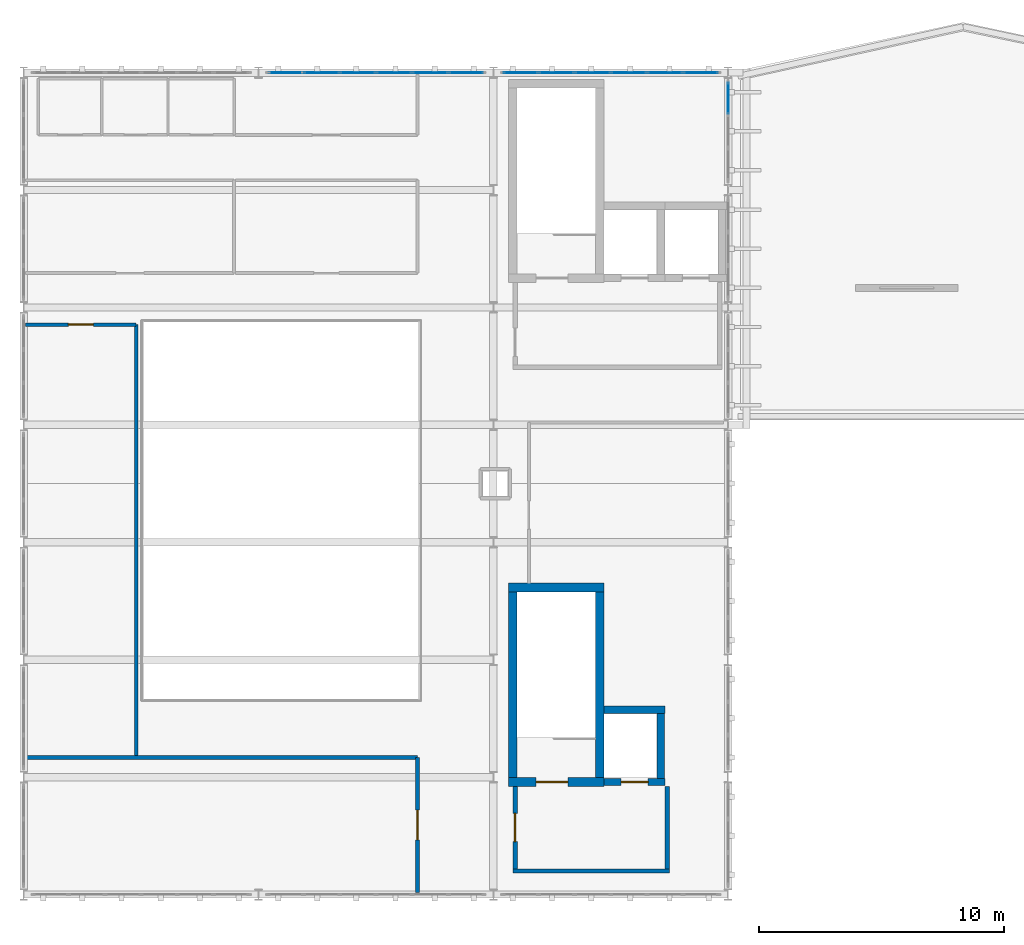
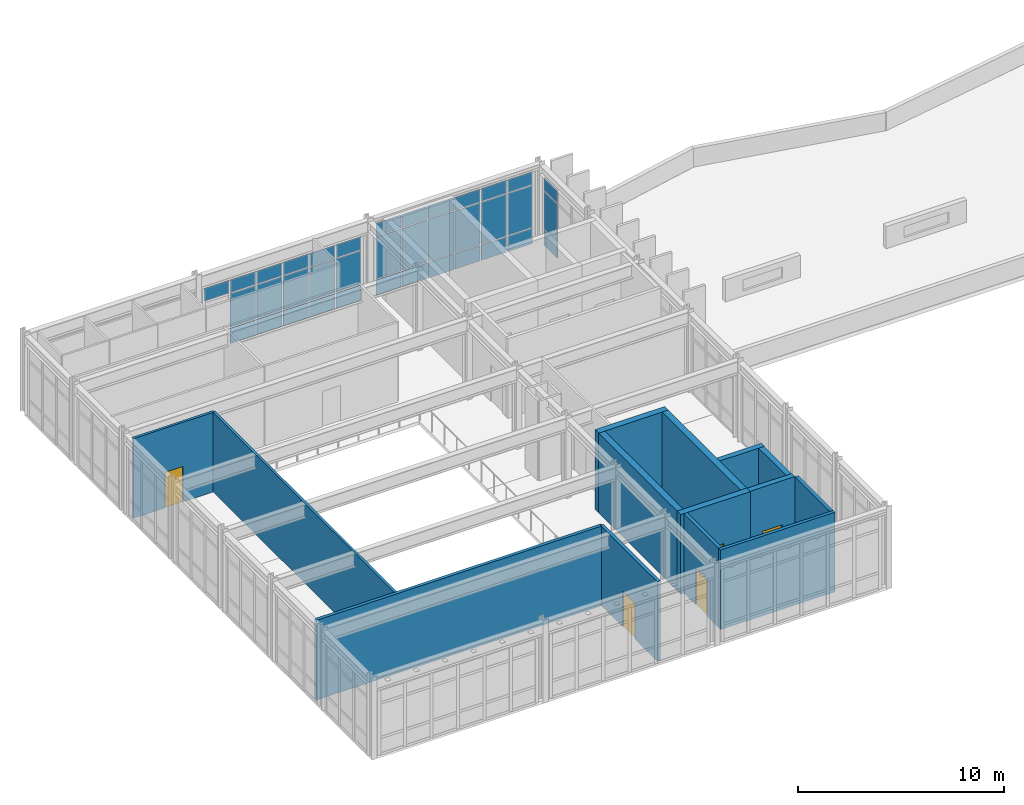
# One storey, part 13 of 16: 37 plates, 14 walls, 5 doors, 5 openings, 3 elements without a shape of their own.
"""IFC4 building model written with IfcOpenShell, lengths in metres."""

from ifc_helpers import new_model, si_unit, direction, frame, frame_2d, origin, origin_2d, place, context, subcontext, project, spatial, rectangle, extrude, material, layer, layer_set, type_object, element, fill, aggregate, save


model = new_model("IFC4")

# Units and contexts
model_context = context("Model", 3, precision=1e-05, world=origin(), true_north=direction((0.0, 1.0)))
body_context = subcontext(model_context, "Body", "Model", "MODEL_VIEW")
ifc_project = project(units=[si_unit("LENGTHUNIT", "METRE"), si_unit("AREAUNIT", "SQUARE_METRE"), si_unit("VOLUMEUNIT", "CUBIC_METRE"), si_unit("PLANEANGLEUNIT", "RADIAN"), si_unit("MASSUNIT", "GRAM", prefix="KILO")], contexts=[model_context])

# Site, building, storey
site_placement = place(None, origin())
site = spatial("IfcSite", under=ifc_project, at=site_placement, CompositionType="ELEMENT")
building_placement = place(site_placement, origin())
building = spatial("IfcBuilding", under=site, at=building_placement, Name="Nordkorset Police Headquarters", CompositionType="ELEMENT")
storey_placement = place(building_placement, frame((0.0, 0.0, 31.14990234375)))
storey = spatial("IfcBuildingStorey", under=building, at=storey_placement, Name="L07", CompositionType="ELEMENT", Elevation=31.14990234375)

# Curtain wall, plates
ifc_material_1 = material(Name="Aluminium alloy AW-6060", Category="aluminium")
ifc_layer_1 = layer(ifc_material_1, 0.179931640625, Name="Aluminium alloy AW-6060")
ifc_layer_set_1 = layer_set([ifc_layer_1], Name="Aluminium alloy AW-6060")
curtain_wall_type_1 = type_object("IfcCurtainWallType", Name="CW_Unit_888x389", PredefinedType="USERDEFINED", material=ifc_layer_set_1)
curtain_wall_1_placement = place(storey_placement, origin())
curtain_wall_1 = element("IfcCurtainWall", 1, at=curtain_wall_1_placement, inside=storey, type_object=curtain_wall_type_1, Name="Unitised Curtain Wall L07 V1N-1", ObjectType="UNITISED CURTAIN WALL", PredefinedType="USERDEFINED")
ifc_material_2 = material(Name="Low-iron triple glazing", Category="glass")
ifc_layer_2 = layer(ifc_material_2, 0.035888671875, Name="Low-iron triple glazing")
ifc_layer_set_2 = layer_set([ifc_layer_2], Name="Low-iron triple glazing")
plate_type = type_object("IfcPlateType", Name="CW_Panel_TripleGlazing_36", PredefinedType="CURTAIN_PANEL", material=ifc_layer_set_2)
plate_1_placement = place(storey_placement, frame((10.71630859375, 116.800048828125, 3.072509765625), z_axis=(0.0, 0.0, 1.0), x_axis=(1.0, 0.0, 0.0)))
plate_1 = element("IfcPlate", 2, at=plate_1_placement, type_object=plate_type, Name="CW-76 panel 1.3", PredefinedType="CURTAIN_PANEL", context=body_context, shape_type="SweptSolid", body=[
    extrude(rectangle(XDim=1.382568359375, YDim=0.035888671875, at=origin_2d()), origin(), (0.0, 0.0, 1.0), 0.75244140625),
])
plate_2_placement = place(storey_placement, frame((12.179931640625, 116.800048828125, 0.06494140625), z_axis=(0.0, 0.0, 1.0), x_axis=(1.0, 0.0, 0.0)))
plate_2 = element("IfcPlate", 3, at=plate_2_placement, type_object=plate_type, Name="CW-76 panel 2.1", PredefinedType="CURTAIN_PANEL", context=body_context, shape_type="SweptSolid", body=[
    extrude(rectangle(XDim=1.4150390625, YDim=0.035888671875, at=origin_2d()), origin(), (0.0, 0.0, 1.0), 0.902587890625),
])
plate_3_placement = place(storey_placement, frame((12.179931640625, 116.800048828125, 1.032470703125), z_axis=(0.0, 0.0, 1.0), x_axis=(1.0, 0.0, 0.0)))
plate_3 = element("IfcPlate", 4, at=plate_3_placement, type_object=plate_type, Name="CW-76 panel 2.2", PredefinedType="CURTAIN_PANEL", context=body_context, shape_type="SweptSolid", body=[
    extrude(rectangle(XDim=1.4150390625, YDim=0.035888671875, at=origin_2d()), origin(), (0.0, 0.0, 1.0), 1.97509765625),
])
plate_4_placement = place(storey_placement, frame((12.179931640625, 116.800048828125, 3.072509765625), z_axis=(0.0, 0.0, 1.0), x_axis=(1.0, 0.0, 0.0)))
plate_4 = element("IfcPlate", 5, at=plate_4_placement, type_object=plate_type, Name="CW-76 panel 2.3", PredefinedType="CURTAIN_PANEL", context=body_context, shape_type="SweptSolid", body=[
    extrude(rectangle(XDim=1.4150390625, YDim=0.035888671875, at=origin_2d()), origin(), (0.0, 0.0, 1.0), 0.75244140625),
])
plate_5_placement = place(storey_placement, frame((13.659912109375, 116.800048828125, 0.06494140625), z_axis=(0.0, 0.0, 1.0), x_axis=(1.0, 0.0, 0.0)))
plate_5 = element("IfcPlate", 6, at=plate_5_placement, type_object=plate_type, Name="CW-76 panel 3.1", PredefinedType="CURTAIN_PANEL", context=body_context, shape_type="SweptSolid", body=[
    extrude(rectangle(XDim=1.4150390625, YDim=0.035888671875, at=origin_2d()), origin(), (0.0, 0.0, 1.0), 0.902587890625),
])
plate_6_placement = place(storey_placement, frame((13.659912109375, 116.800048828125, 1.032470703125), z_axis=(0.0, 0.0, 1.0), x_axis=(1.0, 0.0, 0.0)))
plate_6 = element("IfcPlate", 7, at=plate_6_placement, type_object=plate_type, Name="CW-76 panel 3.2", PredefinedType="CURTAIN_PANEL", context=body_context, shape_type="SweptSolid", body=[
    extrude(rectangle(XDim=1.4150390625, YDim=0.035888671875, at=origin_2d()), origin(), (0.0, 0.0, 1.0), 1.97509765625),
])
plate_7_placement = place(storey_placement, frame((13.659912109375, 116.800048828125, 3.072509765625), z_axis=(0.0, 0.0, 1.0), x_axis=(1.0, 0.0, 0.0)))
plate_7 = element("IfcPlate", 8, at=plate_7_placement, type_object=plate_type, Name="CW-76 panel 3.3", PredefinedType="CURTAIN_PANEL", context=body_context, shape_type="SweptSolid", body=[
    extrude(rectangle(XDim=1.4150390625, YDim=0.035888671875, at=origin_2d()), origin(), (0.0, 0.0, 1.0), 0.75244140625),
])
plate_8_placement = place(storey_placement, frame((15.139892578125, 116.800048828125, 0.06494140625), z_axis=(0.0, 0.0, 1.0), x_axis=(1.0, 0.0, 0.0)))
plate_8 = element("IfcPlate", 9, at=plate_8_placement, type_object=plate_type, Name="CW-76 panel 4.1", PredefinedType="CURTAIN_PANEL", context=body_context, shape_type="SweptSolid", body=[
    extrude(rectangle(XDim=1.4150390625, YDim=0.035888671875, at=origin_2d()), origin(), (0.0, 0.0, 1.0), 0.902587890625),
])
plate_9_placement = place(storey_placement, frame((15.139892578125, 116.800048828125, 1.032470703125), z_axis=(0.0, 0.0, 1.0), x_axis=(1.0, 0.0, 0.0)))
plate_9 = element("IfcPlate", 10, at=plate_9_placement, type_object=plate_type, Name="CW-76 panel 4.2", PredefinedType="CURTAIN_PANEL", context=body_context, shape_type="SweptSolid", body=[
    extrude(rectangle(XDim=1.4150390625, YDim=0.035888671875, at=origin_2d()), origin(), (0.0, 0.0, 1.0), 1.97509765625),
])
plate_10_placement = place(storey_placement, frame((15.139892578125, 116.800048828125, 3.072509765625), z_axis=(0.0, 0.0, 1.0), x_axis=(1.0, 0.0, 0.0)))
plate_10 = element("IfcPlate", 11, at=plate_10_placement, type_object=plate_type, Name="CW-76 panel 4.3", PredefinedType="CURTAIN_PANEL", context=body_context, shape_type="SweptSolid", body=[
    extrude(rectangle(XDim=1.4150390625, YDim=0.035888671875, at=origin_2d()), origin(), (0.0, 0.0, 1.0), 0.75244140625),
])
plate_11_placement = place(storey_placement, frame((16.6201171875, 116.800048828125, 0.06494140625), z_axis=(0.0, 0.0, 1.0), x_axis=(1.0, 0.0, 0.0)))
plate_11 = element("IfcPlate", 12, at=plate_11_placement, type_object=plate_type, Name="CW-76 panel 5.1", PredefinedType="CURTAIN_PANEL", context=body_context, shape_type="SweptSolid", body=[
    extrude(rectangle(XDim=1.4150390625, YDim=0.035888671875, at=origin_2d()), origin(), (0.0, 0.0, 1.0), 0.902587890625),
])
plate_12_placement = place(storey_placement, frame((16.6201171875, 116.800048828125, 1.032470703125), z_axis=(0.0, 0.0, 1.0), x_axis=(1.0, 0.0, 0.0)))
plate_12 = element("IfcPlate", 13, at=plate_12_placement, type_object=plate_type, Name="CW-76 panel 5.2", PredefinedType="CURTAIN_PANEL", context=body_context, shape_type="SweptSolid", body=[
    extrude(rectangle(XDim=1.4150390625, YDim=0.035888671875, at=origin_2d()), origin(), (0.0, 0.0, 1.0), 1.97509765625),
])
plate_13_placement = place(storey_placement, frame((16.6201171875, 116.800048828125, 3.072509765625), z_axis=(0.0, 0.0, 1.0), x_axis=(1.0, 0.0, 0.0)))
plate_13 = element("IfcPlate", 14, at=plate_13_placement, type_object=plate_type, Name="CW-76 panel 5.3", PredefinedType="CURTAIN_PANEL", context=body_context, shape_type="SweptSolid", body=[
    extrude(rectangle(XDim=1.4150390625, YDim=0.035888671875, at=origin_2d()), origin(), (0.0, 0.0, 1.0), 0.75244140625),
])
plate_14_placement = place(storey_placement, frame((18.083740234375, 116.800048828125, 0.06494140625), z_axis=(0.0, 0.0, 1.0), x_axis=(1.0, 0.0, 0.0)))
plate_14 = element("IfcPlate", 15, at=plate_14_placement, type_object=plate_type, Name="CW-76 panel 6.1", PredefinedType="CURTAIN_PANEL", context=body_context, shape_type="SweptSolid", body=[
    extrude(rectangle(XDim=1.382568359375, YDim=0.035888671875, at=origin_2d()), origin(), (0.0, 0.0, 1.0), 0.902587890625),
])
plate_15_placement = place(storey_placement, frame((18.083740234375, 116.800048828125, 1.032470703125), z_axis=(0.0, 0.0, 1.0), x_axis=(1.0, 0.0, 0.0)))
plate_15 = element("IfcPlate", 16, at=plate_15_placement, type_object=plate_type, Name="CW-76 panel 6.2", PredefinedType="CURTAIN_PANEL", context=body_context, shape_type="SweptSolid", body=[
    extrude(rectangle(XDim=1.382568359375, YDim=0.035888671875, at=origin_2d()), origin(), (0.0, 0.0, 1.0), 1.97509765625),
])
plate_16_placement = place(storey_placement, frame((18.083740234375, 116.800048828125, 3.072509765625), z_axis=(0.0, 0.0, 1.0), x_axis=(1.0, 0.0, 0.0)))
plate_16 = element("IfcPlate", 17, at=plate_16_placement, type_object=plate_type, Name="CW-76 panel 6.3", PredefinedType="CURTAIN_PANEL", context=body_context, shape_type="SweptSolid", body=[
    extrude(rectangle(XDim=1.382568359375, YDim=0.035888671875, at=origin_2d()), origin(), (0.0, 0.0, 1.0), 0.75244140625),
])
aggregate(curtain_wall_1, [plate_1, plate_2, plate_3, plate_4, plate_5, plate_6, plate_7, plate_8, plate_9, plate_10, plate_11, plate_12, plate_13, plate_14, plate_15, plate_16])

ifc_material_3 = material(Name="Aluminium alloy AW-6060", Category="aluminium")
ifc_layer_3 = layer(ifc_material_3, 0.179931640625, Name="Aluminium alloy AW-6060")
ifc_layer_set_3 = layer_set([ifc_layer_3], Name="Aluminium alloy AW-6060")
curtain_wall_type_2 = type_object("IfcCurtainWallType", Name="CW_Unit_888x438", PredefinedType="USERDEFINED", material=ifc_layer_set_3)
curtain_wall_2_placement = place(storey_placement, origin())
curtain_wall_2 = element("IfcCurtainWall", 18, at=curtain_wall_2_placement, inside=storey, type_object=curtain_wall_type_2, Name="Unitised Curtain Wall L07 V1N-2", ObjectType="UNITISED CURTAIN WALL", PredefinedType="USERDEFINED")
plate_17_placement = place(storey_placement, frame((20.316162109375, 116.800048828125, 0.06494140625), z_axis=(0.0, 0.0, 1.0), x_axis=(1.0, 0.0, 0.0)))
plate_17 = element("IfcPlate", 19, at=plate_17_placement, type_object=plate_type, Name="CW-102 panel 1.1", PredefinedType="CURTAIN_PANEL", context=body_context, shape_type="SweptSolid", body=[
    extrude(rectangle(XDim=1.382568359375, YDim=0.035888671875, at=origin_2d()), origin(), (0.0, 0.0, 1.0), 0.902587890625),
])
plate_18_placement = place(storey_placement, frame((20.316162109375, 116.800048828125, 1.03271484375), z_axis=(0.0, 0.0, 1.0), x_axis=(1.0, 0.0, 0.0)))
plate_18 = element("IfcPlate", 20, at=plate_18_placement, type_object=plate_type, Name="CW-102 panel 1.2", PredefinedType="CURTAIN_PANEL", context=body_context, shape_type="SweptSolid", body=[
    extrude(rectangle(XDim=1.382568359375, YDim=0.035888671875, at=origin_2d()), origin(), (0.0, 0.0, 1.0), 2.465087890625),
])
plate_19_placement = place(storey_placement, frame((20.316162109375, 116.800048828125, 3.562744140625), z_axis=(0.0, 0.0, 1.0), x_axis=(1.0, 0.0, 0.0)))
plate_19 = element("IfcPlate", 21, at=plate_19_placement, type_object=plate_type, Name="CW-102 panel 1.3", PredefinedType="CURTAIN_PANEL", context=body_context, shape_type="SweptSolid", body=[
    extrude(rectangle(XDim=1.382568359375, YDim=0.035888671875, at=origin_2d()), origin(), (0.0, 0.0, 1.0), 0.75244140625),
])
plate_20_placement = place(storey_placement, frame((21.780029296875, 116.800048828125, 0.06494140625), z_axis=(0.0, 0.0, 1.0), x_axis=(1.0, 0.0, 0.0)))
plate_20 = element("IfcPlate", 22, at=plate_20_placement, type_object=plate_type, Name="CW-102 panel 2.1", PredefinedType="CURTAIN_PANEL", context=body_context, shape_type="SweptSolid", body=[
    extrude(rectangle(XDim=1.4150390625, YDim=0.035888671875, at=origin_2d()), origin(), (0.0, 0.0, 1.0), 0.902587890625),
])
plate_21_placement = place(storey_placement, frame((21.780029296875, 116.800048828125, 1.03271484375), z_axis=(0.0, 0.0, 1.0), x_axis=(1.0, 0.0, 0.0)))
plate_21 = element("IfcPlate", 23, at=plate_21_placement, type_object=plate_type, Name="CW-102 panel 2.2", PredefinedType="CURTAIN_PANEL", context=body_context, shape_type="SweptSolid", body=[
    extrude(rectangle(XDim=1.4150390625, YDim=0.035888671875, at=origin_2d()), origin(), (0.0, 0.0, 1.0), 2.465087890625),
])
plate_22_placement = place(storey_placement, frame((21.780029296875, 116.800048828125, 3.562744140625), z_axis=(0.0, 0.0, 1.0), x_axis=(1.0, 0.0, 0.0)))
plate_22 = element("IfcPlate", 24, at=plate_22_placement, type_object=plate_type, Name="CW-102 panel 2.3", PredefinedType="CURTAIN_PANEL", context=body_context, shape_type="SweptSolid", body=[
    extrude(rectangle(XDim=1.4150390625, YDim=0.035888671875, at=origin_2d()), origin(), (0.0, 0.0, 1.0), 0.75244140625),
])
plate_23_placement = place(storey_placement, frame((23.260009765625, 116.800048828125, 0.06494140625), z_axis=(0.0, 0.0, 1.0), x_axis=(1.0, 0.0, 0.0)))
plate_23 = element("IfcPlate", 25, at=plate_23_placement, type_object=plate_type, Name="CW-102 panel 3.1", PredefinedType="CURTAIN_PANEL", context=body_context, shape_type="SweptSolid", body=[
    extrude(rectangle(XDim=1.4150390625, YDim=0.035888671875, at=origin_2d()), origin(), (0.0, 0.0, 1.0), 0.902587890625),
])
plate_24_placement = place(storey_placement, frame((23.260009765625, 116.800048828125, 1.03271484375), z_axis=(0.0, 0.0, 1.0), x_axis=(1.0, 0.0, 0.0)))
plate_24 = element("IfcPlate", 26, at=plate_24_placement, type_object=plate_type, Name="CW-102 panel 3.2", PredefinedType="CURTAIN_PANEL", context=body_context, shape_type="SweptSolid", body=[
    extrude(rectangle(XDim=1.4150390625, YDim=0.035888671875, at=origin_2d()), origin(), (0.0, 0.0, 1.0), 2.465087890625),
])
plate_25_placement = place(storey_placement, frame((23.260009765625, 116.800048828125, 3.562744140625), z_axis=(0.0, 0.0, 1.0), x_axis=(1.0, 0.0, 0.0)))
plate_25 = element("IfcPlate", 27, at=plate_25_placement, type_object=plate_type, Name="CW-102 panel 3.3", PredefinedType="CURTAIN_PANEL", context=body_context, shape_type="SweptSolid", body=[
    extrude(rectangle(XDim=1.4150390625, YDim=0.035888671875, at=origin_2d()), origin(), (0.0, 0.0, 1.0), 0.75244140625),
])
plate_26_placement = place(storey_placement, frame((24.739990234375, 116.800048828125, 0.06494140625), z_axis=(0.0, 0.0, 1.0), x_axis=(1.0, 0.0, 0.0)))
plate_26 = element("IfcPlate", 28, at=plate_26_placement, type_object=plate_type, Name="CW-102 panel 4.1", PredefinedType="CURTAIN_PANEL", context=body_context, shape_type="SweptSolid", body=[
    extrude(rectangle(XDim=1.4150390625, YDim=0.035888671875, at=origin_2d()), origin(), (0.0, 0.0, 1.0), 0.902587890625),
])
plate_27_placement = place(storey_placement, frame((24.739990234375, 116.800048828125, 1.03271484375), z_axis=(0.0, 0.0, 1.0), x_axis=(1.0, 0.0, 0.0)))
plate_27 = element("IfcPlate", 29, at=plate_27_placement, type_object=plate_type, Name="CW-102 panel 4.2", PredefinedType="CURTAIN_PANEL", context=body_context, shape_type="SweptSolid", body=[
    extrude(rectangle(XDim=1.4150390625, YDim=0.035888671875, at=origin_2d()), origin(), (0.0, 0.0, 1.0), 2.465087890625),
])
plate_28_placement = place(storey_placement, frame((24.739990234375, 116.800048828125, 3.562744140625), z_axis=(0.0, 0.0, 1.0), x_axis=(1.0, 0.0, 0.0)))
plate_28 = element("IfcPlate", 30, at=plate_28_placement, type_object=plate_type, Name="CW-102 panel 4.3", PredefinedType="CURTAIN_PANEL", context=body_context, shape_type="SweptSolid", body=[
    extrude(rectangle(XDim=1.4150390625, YDim=0.035888671875, at=origin_2d()), origin(), (0.0, 0.0, 1.0), 0.75244140625),
])
plate_29_placement = place(storey_placement, frame((26.219970703125, 116.800048828125, 0.06494140625), z_axis=(0.0, 0.0, 1.0), x_axis=(1.0, 0.0, 0.0)))
plate_29 = element("IfcPlate", 31, at=plate_29_placement, type_object=plate_type, Name="CW-102 panel 5.1", PredefinedType="CURTAIN_PANEL", context=body_context, shape_type="SweptSolid", body=[
    extrude(rectangle(XDim=1.4150390625, YDim=0.035888671875, at=origin_2d()), origin(), (0.0, 0.0, 1.0), 0.902587890625),
])
plate_30_placement = place(storey_placement, frame((26.219970703125, 116.800048828125, 1.03271484375), z_axis=(0.0, 0.0, 1.0), x_axis=(1.0, 0.0, 0.0)))
plate_30 = element("IfcPlate", 32, at=plate_30_placement, type_object=plate_type, Name="CW-102 panel 5.2", PredefinedType="CURTAIN_PANEL", context=body_context, shape_type="SweptSolid", body=[
    extrude(rectangle(XDim=1.4150390625, YDim=0.035888671875, at=origin_2d()), origin(), (0.0, 0.0, 1.0), 2.465087890625),
])
plate_31_placement = place(storey_placement, frame((26.219970703125, 116.800048828125, 3.562744140625), z_axis=(0.0, 0.0, 1.0), x_axis=(1.0, 0.0, 0.0)))
plate_31 = element("IfcPlate", 33, at=plate_31_placement, type_object=plate_type, Name="CW-102 panel 5.3", PredefinedType="CURTAIN_PANEL", context=body_context, shape_type="SweptSolid", body=[
    extrude(rectangle(XDim=1.4150390625, YDim=0.035888671875, at=origin_2d()), origin(), (0.0, 0.0, 1.0), 0.75244140625),
])
plate_32_placement = place(storey_placement, frame((27.683837890625, 116.800048828125, 0.06494140625), z_axis=(0.0, 0.0, 1.0), x_axis=(1.0, 0.0, 0.0)))
plate_32 = element("IfcPlate", 34, at=plate_32_placement, type_object=plate_type, Name="CW-102 panel 6.1", PredefinedType="CURTAIN_PANEL", context=body_context, shape_type="SweptSolid", body=[
    extrude(rectangle(XDim=1.382568359375, YDim=0.035888671875, at=origin_2d()), origin(), (0.0, 0.0, 1.0), 0.902587890625),
])
plate_33_placement = place(storey_placement, frame((27.683837890625, 116.800048828125, 1.03271484375), z_axis=(0.0, 0.0, 1.0), x_axis=(1.0, 0.0, 0.0)))
plate_33 = element("IfcPlate", 35, at=plate_33_placement, type_object=plate_type, Name="CW-102 panel 6.2", PredefinedType="CURTAIN_PANEL", context=body_context, shape_type="SweptSolid", body=[
    extrude(rectangle(XDim=1.382568359375, YDim=0.035888671875, at=origin_2d()), origin(), (0.0, 0.0, 1.0), 2.465087890625),
])
plate_34_placement = place(storey_placement, frame((27.683837890625, 116.800048828125, 3.562744140625), z_axis=(0.0, 0.0, 1.0), x_axis=(1.0, 0.0, 0.0)))
plate_34 = element("IfcPlate", 36, at=plate_34_placement, type_object=plate_type, Name="CW-102 panel 6.3", PredefinedType="CURTAIN_PANEL", context=body_context, shape_type="SweptSolid", body=[
    extrude(rectangle(XDim=1.382568359375, YDim=0.035888671875, at=origin_2d()), origin(), (0.0, 0.0, 1.0), 0.75244140625),
])
aggregate(curtain_wall_2, [plate_17, plate_18, plate_19, plate_20, plate_21, plate_22, plate_23, plate_24, plate_25, plate_26, plate_27, plate_28, plate_29, plate_30, plate_31, plate_32, plate_33, plate_34])

ifc_material_4 = material(Name="Aluminium alloy AW-6060", Category="aluminium")
ifc_layer_4 = layer(ifc_material_4, 0.179931640625, Name="Aluminium alloy AW-6060")
ifc_layer_set_4 = layer_set([ifc_layer_4], Name="Aluminium alloy AW-6060")
curtain_wall_type_3 = type_object("IfcCurtainWallType", Name="CW_Unit_408x415", PredefinedType="USERDEFINED", material=ifc_layer_set_4)
curtain_wall_3_placement = place(storey_placement, origin())
curtain_wall_3 = element("IfcCurtainWall", 37, at=curtain_wall_3_placement, inside=storey, type_object=curtain_wall_type_3, Name="Unitised Curtain Wall L07 V1E-6", ObjectType="UNITISED CURTAIN WALL", PredefinedType="USERDEFINED")
plate_35_placement = place(storey_placement, frame((28.800048828125, 115.74365234375, 0.06494140625), z_axis=(0.0, 0.0, 1.0), x_axis=(0.0, 1.0, 0.0)))
plate_35 = element("IfcPlate", 38, at=plate_35_placement, type_object=plate_type, Name="CW-101 panel 3.1", PredefinedType="CURTAIN_PANEL", context=body_context, shape_type="SweptSolid", body=[
    extrude(rectangle(XDim=1.262451171875, YDim=0.035888671875, at=origin_2d()), origin(), (0.0, 0.0, 1.0), 0.902587890625),
])
plate_36_placement = place(storey_placement, frame((28.800048828125, 115.74365234375, 1.03271484375), z_axis=(0.0, 0.0, 1.0), x_axis=(0.0, 1.0, 0.0)))
plate_36 = element("IfcPlate", 39, at=plate_36_placement, type_object=plate_type, Name="CW-101 panel 3.2", PredefinedType="CURTAIN_PANEL", context=body_context, shape_type="SweptSolid", body=[
    extrude(rectangle(XDim=1.262451171875, YDim=0.035888671875, at=origin_2d()), origin(), (0.0, 0.0, 1.0), 2.235107421875),
])
plate_37_placement = place(storey_placement, frame((28.800048828125, 115.74365234375, 3.33251953125), z_axis=(0.0, 0.0, 1.0), x_axis=(0.0, 1.0, 0.0)))
plate_37 = element("IfcPlate", 40, at=plate_37_placement, type_object=plate_type, Name="CW-101 panel 3.3", PredefinedType="CURTAIN_PANEL", context=body_context, shape_type="SweptSolid", body=[
    extrude(rectangle(XDim=1.262451171875, YDim=0.035888671875, at=origin_2d()), origin(), (0.0, 0.0, 1.0), 0.75244140625),
])
aggregate(curtain_wall_3, [plate_35, plate_36, plate_37])

# Wall
ifc_material_5 = material(Name="Gypsum board", Category="gypsum")
ifc_layer_5 = layer(ifc_material_5, 0.139892578125, Name="Gypsum board")
ifc_layer_set_5 = layer_set([ifc_layer_5], Name="Gypsum board")
wall_type_1 = type_object("IfcWallType", Name="Wall_Acoust_140", PredefinedType="PARTITIONING", material=ifc_layer_set_5)
wall_1_placement = place(storey_placement, frame((4.60009765625, 88.885009765625, 0.0), z_axis=(0.0, 0.0, 1.0), x_axis=(0.0, 1.0, 0.0)))
element("IfcWall", 41, at=wall_1_placement, inside=storey, type_object=wall_type_1, Name="Interior Partition Wall National Situation Monitoring Office", PredefinedType="PARTITIONING", context=body_context, shape_type="SweptSolid", body=[
    extrude(rectangle(XDim=17.614990234375, YDim=0.139892578125, at=frame_2d((8.8076171875, 0.0))), origin(), (0.0, 0.0, 1.0), 4.710205078125),
])

# Wall, opening, door
wall_2_placement = place(storey_placement, frame((4.60009765625, 106.5, 0.0), z_axis=(0.0, 0.0, 1.0), x_axis=(-1.0, 0.0, 0.0)))
wall_2 = element("IfcWall", 42, at=wall_2_placement, inside=storey, type_object=wall_type_1, Name="Interior Partition Wall National Situation Monitoring Office", PredefinedType="PARTITIONING", context=body_context, shape_type="SweptSolid", body=[
    extrude(rectangle(XDim=4.51513671875, YDim=0.139892578125, at=frame_2d((2.257568359375, 0.0))), origin(), (0.0, 0.0, 1.0), 4.710205078125),
])
opening_1_placement = place(wall_2_placement, frame((1.74755859375, 0.0, 0.0)))
opening_1 = element("IfcOpeningElement", 43, at=opening_1_placement, cuts=wall_2, Name="Opening DR-19", PredefinedType="OPENING", context=body_context, shape_type="SweptSolid", body=[
    extrude(rectangle(XDim=1.02001953125, YDim=2.10009765625, at=frame_2d((0.510009765625, 1.050048828125))), frame((0.0, 0.080078125, 0.0), z_axis=(0.0, -1.0, 0.0), x_axis=(1.0, 0.0, 0.0)), (0.0, 0.0, 1.0), 0.159912109375),
])
ifc_material_6 = material(Name="Glulam GL30c", Category="wood")
door_type_1 = type_object("IfcDoorType", Name="Door_Office_1020x2100", OperationType="NOTDEFINED", PredefinedType="DOOR", material=ifc_material_6)
door_1_placement = place(opening_1_placement, origin())
door_1 = element("IfcDoor", 44, at=door_1_placement, inside=storey, type_object=door_type_1, Name="Interior Door National Situation Monitoring Office", OperationType="SINGLE_SWING_LEFT", OverallHeight=2.10009765625, OverallWidth=1.02001953125, PredefinedType="DOOR", context=body_context, shape_type="SweptSolid", body=[
    extrude(rectangle(XDim=1.02001953125, YDim=2.10009765625, at=frame_2d((0.510009765625, 1.050048828125))), frame((0.0, 0.02490234375, 0.0), z_axis=(0.0, -1.0, 0.0), x_axis=(1.0, 0.0, 0.0)), (0.0, 0.0, 1.0), 0.050048828125),
])
fill(opening_1, door_1)

# Wall
ifc_material_7 = material(Name="Gypsum board", Category="gypsum")
ifc_layer_6 = layer(ifc_material_7, 0.179931640625, Name="Gypsum board")
ifc_layer_set_6 = layer_set([ifc_layer_6], Name="Gypsum board")
wall_type_2 = type_object("IfcWallType", Name="Wall_Comp_180", PredefinedType="PARTITIONING", material=ifc_layer_set_6)
wall_3_placement = place(storey_placement, frame((20.0, 84.159912109375, 0.0), z_axis=(0.0, 0.0, 1.0), x_axis=(1.0, 0.0, 0.0)))
element("IfcWall", 45, at=wall_3_placement, inside=storey, type_object=wall_type_2, Name="Firefighting Lobby EI 60 Wall K3 L07 S", PredefinedType="PARTITIONING", context=body_context, shape_type="SweptSolid", body=[
    extrude(rectangle(XDim=6.39990234375, YDim=0.179931640625, at=frame_2d((3.199951171875, 0.0))), origin(), (0.0, 0.0, 1.0), 4.710205078125),
])

# Wall, opening, door
wall_4_placement = place(storey_placement, frame((20.090087890625, 84.25, 0.0), z_axis=(0.0, 0.0, 1.0), x_axis=(0.0, 1.0, 0.0)))
wall_4 = element("IfcWall", 46, at=wall_4_placement, inside=storey, type_object=wall_type_2, Name="Firefighting Lobby EI 60 Wall K3 L07 W", PredefinedType="PARTITIONING", context=body_context, shape_type="SweptSolid", body=[
    extrude(rectangle(XDim=3.375, YDim=0.179931640625, at=frame_2d((1.6875, 0.0))), origin(), (0.0, 0.0, 1.0), 4.710205078125),
])
opening_2_placement = place(wall_4_placement, frame((1.112548828125, 0.0, 0.0)))
opening_2 = element("IfcOpeningElement", 47, at=opening_2_placement, cuts=wall_4, Name="Opening DR-01", PredefinedType="OPENING", context=body_context, shape_type="SweptSolid", body=[
    extrude(rectangle(XDim=1.14990234375, YDim=2.14990234375, at=frame_2d((0.574951171875, 1.074951171875))), frame((0.0, 0.10009765625, 0.0), z_axis=(0.0, -1.0, 0.0), x_axis=(1.0, 0.0, 0.0)), (0.0, 0.0, 1.0), 0.199951171875),
])
ifc_material_8 = material(Name="Steel S355J2", Category="steel")
door_type_2 = type_object("IfcDoorType", Name="Door_LobbySingle_1150x2150", OperationType="NOTDEFINED", PredefinedType="DOOR", material=ifc_material_8)
door_2_placement = place(opening_2_placement, origin())
door_2 = element("IfcDoor", 48, at=door_2_placement, inside=storey, type_object=door_type_2, Name="Firefighting Lobby Smoke Door K3 L07 W", OperationType="SINGLE_SWING_RIGHT", OverallHeight=2.14990234375, OverallWidth=1.14990234375, PredefinedType="DOOR", context=body_context, shape_type="SweptSolid", body=[
    extrude(rectangle(XDim=1.14990234375, YDim=2.14990234375, at=frame_2d((0.574951171875, 1.074951171875))), frame((0.0, 0.02490234375, 0.0), z_axis=(0.0, -1.0, 0.0), x_axis=(1.0, 0.0, 0.0)), (0.0, 0.0, 1.0), 0.050048828125),
])
fill(opening_2, door_2)

# Wall
wall_5_placement = place(storey_placement, frame((26.31005859375, 84.25, 0.0), z_axis=(0.0, 0.0, 1.0), x_axis=(0.0, 1.0, 0.0)))
element("IfcWall", 49, at=wall_5_placement, inside=storey, type_object=wall_type_2, Name="Firefighting Lobby EI 60 Wall K3 L07 E", PredefinedType="PARTITIONING", context=body_context, shape_type="SweptSolid", body=[
    extrude(rectangle(XDim=3.375, YDim=0.179931640625, at=frame_2d((1.6875, 0.0))), origin(), (0.0, 0.0, 1.0), 4.710205078125),
])

# Wall, opening, door
wall_6_placement = place(storey_placement, frame((16.10009765625, 83.284912109375, 0.0), z_axis=(0.0, 0.0, 1.0), x_axis=(0.0, 1.0, 0.0)))
wall_6 = element("IfcWall", 50, at=wall_6_placement, inside=storey, type_object=wall_type_2, Name="Interior Partition Wall Strategic Crisis Operations Suite", PredefinedType="PARTITIONING", context=body_context, shape_type="SweptSolid", body=[
    extrude(rectangle(XDim=5.51513671875, YDim=0.179931640625, at=frame_2d((2.757568359375, 0.0))), origin(), (0.0, 0.0, 1.0), 4.710205078125),
])
opening_3_placement = place(wall_6_placement, frame((2.1474609375, 0.0, 0.0)))
opening_3 = element("IfcOpeningElement", 51, at=opening_3_placement, cuts=wall_6, Name="Opening DR-13", PredefinedType="OPENING", context=body_context, shape_type="SweptSolid", body=[
    extrude(rectangle(XDim=1.219970703125, YDim=2.10009765625, at=frame_2d((0.60986328125, 1.050048828125))), frame((0.0, 0.10009765625, 0.0), z_axis=(0.0, -1.0, 0.0), x_axis=(1.0, 0.0, 0.0)), (0.0, 0.0, 1.0), 0.199951171875),
])
ifc_material_9 = material(Name="Steel S355J2", Category="steel")
door_type_3 = type_object("IfcDoorType", Name="Door_FireComp_1220x2100", OperationType="NOTDEFINED", PredefinedType="DOOR", material=ifc_material_9)
door_3_placement = place(opening_3_placement, origin())
door_3 = element("IfcDoor", 52, at=door_3_placement, inside=storey, type_object=door_type_3, Name="Interior Door Strategic Crisis Operations Suite", OperationType="SINGLE_SWING_LEFT", OverallHeight=2.10009765625, OverallWidth=1.219970703125, PredefinedType="DOOR", context=body_context, shape_type="SweptSolid", body=[
    extrude(rectangle(XDim=1.219970703125, YDim=2.10009765625, at=frame_2d((0.60986328125, 1.050048828125))), frame((0.0, 0.02490234375, 0.0), z_axis=(0.0, -1.0, 0.0), x_axis=(1.0, 0.0, 0.0)), (0.0, 0.0, 1.0), 0.050048828125),
])
fill(opening_3, door_3)

# Wall
wall_7_placement = place(storey_placement, frame((16.10009765625, 88.800048828125, 0.0), z_axis=(0.0, 0.0, 1.0), x_axis=(-1.0, 0.0, 0.0)))
element("IfcWall", 53, at=wall_7_placement, inside=storey, type_object=wall_type_2, Name="Interior Partition Wall Strategic Crisis Operations Suite", PredefinedType="PARTITIONING", context=body_context, shape_type="SweptSolid", body=[
    extrude(rectangle(XDim=16.01513671875, YDim=0.179931640625, at=frame_2d((8.007568359375, 0.0))), origin(), (0.0, 0.0, 1.0), 4.710205078125),
])

# Wall, opening, door
ifc_material_10 = material(Name="Concrete C35/45", Category="concrete")
ifc_layer_7 = layer(ifc_material_10, 0.35009765625, Name="Concrete C35/45")
ifc_layer_set_7 = layer_set([ifc_layer_7], Name="Concrete C35/45")
wall_type_3 = type_object("IfcWallType", Name="Wall_CoreShear_350", PredefinedType="SHEAR", material=ifc_layer_set_7)
wall_8_placement = place(storey_placement, frame((19.824951171875, 87.800048828125, 0.0), z_axis=(0.0, 0.0, 1.0), x_axis=(1.0, 0.0, 0.0)))
wall_8 = element("IfcWall", 54, at=wall_8_placement, inside=storey, type_object=wall_type_3, Name="Core K3 Stair Shaft South Shear Wall L07", PredefinedType="SHEAR", context=body_context, shape_type="SweptSolid", body=[
    extrude(rectangle(XDim=3.900146484375, YDim=0.35009765625, at=frame_2d((1.9501953125, 0.0))), origin(), (0.0, 0.0, 1.0), 4.710205078125),
])
opening_4_placement = place(wall_8_placement, frame((1.125, 0.0, 0.0)))
opening_4 = element("IfcOpeningElement", 55, at=opening_4_placement, cuts=wall_8, Name="Opening DR-20", PredefinedType="OPENING", context=body_context, shape_type="SweptSolid", body=[
    extrude(rectangle(XDim=1.300048828125, YDim=2.14990234375, at=frame_2d((0.64990234375, 1.074951171875))), frame((0.0, 0.18505859375, 0.0), z_axis=(0.0, -1.0, 0.0), x_axis=(1.0, 0.0, 0.0)), (0.0, 0.0, 1.0), 0.3701171875),
])
ifc_material_11 = material(Name="Steel S355J2", Category="steel")
door_type_4 = type_object("IfcDoorType", Name="Door_Stair_1300x2150", OperationType="NOTDEFINED", PredefinedType="DOOR", material=ifc_material_11)
door_4_placement = place(opening_4_placement, frame((1.300048828125, 0.0, 0.0), z_axis=(0.0, 0.0, 1.0), x_axis=(-1.0, 0.0, 0.0)))
door_4 = element("IfcDoor", 56, at=door_4_placement, inside=storey, type_object=door_type_4, Name="Protected Stair Fire Door ST-03 L07", OperationType="SINGLE_SWING_LEFT", OverallHeight=2.14990234375, OverallWidth=1.300048828125, PredefinedType="DOOR", context=body_context, shape_type="SweptSolid", body=[
    extrude(rectangle(XDim=1.300048828125, YDim=2.14990234375, at=frame_2d((0.64990234375, 1.074951171875))), frame((0.0, 0.02490234375, 0.0), z_axis=(0.0, -1.0, 0.0), x_axis=(1.0, 0.0, 0.0)), (0.0, 0.0, 1.0), 0.050048828125),
])
fill(opening_4, door_4)

# Walls
wall_9_placement = place(storey_placement, frame((19.824951171875, 95.75, 0.0), z_axis=(0.0, 0.0, 1.0), x_axis=(1.0, 0.0, 0.0)))
element("IfcWall", 57, at=wall_9_placement, inside=storey, type_object=wall_type_3, Name="Core K3 Stair Shaft North Shear Wall L07", PredefinedType="SHEAR", context=body_context, shape_type="SweptSolid", body=[
    extrude(rectangle(XDim=3.900146484375, YDim=0.35009765625, at=frame_2d((1.9501953125, 0.0))), origin(), (0.0, 0.0, 1.0), 4.710205078125),
])
for number, where, z_axis, x_axis, name in (
    (58, (20.0, 87.97509765625, 0.0), (0.0, 0.0, 1.0), (0.0, 1.0, 0.0), "Core K3 Stair Shaft West Shear Wall L07"),
    (59, (23.550048828125, 87.97509765625, 0.0), (0.0, 0.0, 1.0), (0.0, 1.0, 0.0), "Core K3 Stair Shaft East Shear Wall L07"),
):
    element("IfcWall", number, at=place(storey_placement, frame(where, z_axis=z_axis, x_axis=x_axis)), inside=storey, type_object=wall_type_3, Name=name, PredefinedType="SHEAR", context=body_context, shape_type="SweptSolid", body=[
        extrude(rectangle(XDim=7.599853515625, YDim=0.35009765625, at=frame_2d((3.7998046875, 0.0))), origin(), (0.0, 0.0, 1.0), 4.710205078125),
    ])

# Wall, opening, door
ifc_material_12 = material(Name="Concrete C35/45", Category="concrete")
ifc_layer_8 = layer(ifc_material_12, 0.300048828125, Name="Concrete C35/45")
ifc_layer_set_8 = layer_set([ifc_layer_8], Name="Concrete C35/45")
wall_type_4 = type_object("IfcWallType", Name="Wall_ShaftShear_300", PredefinedType="SHEAR", material=ifc_layer_set_8)
wall_10_placement = place(storey_placement, frame((23.72509765625, 87.800048828125, 0.0), z_axis=(0.0, 0.0, 1.0), x_axis=(1.0, 0.0, 0.0)))
wall_10 = element("IfcWall", 60, at=wall_10_placement, inside=storey, type_object=wall_type_4, Name="Lift Shaft LF-03 Front Shear Wall L07", PredefinedType="SHEAR", context=body_context, shape_type="SweptSolid", body=[
    extrude(rectangle(XDim=2.5, YDim=0.300048828125, at=frame_2d((1.25, 0.0))), origin(), (0.0, 0.0, 1.0), 4.710205078125),
])
opening_5_placement = place(wall_10_placement, frame((0.699951171875, 0.0, 0.0)))
opening_5 = element("IfcOpeningElement", 61, at=opening_5_placement, cuts=wall_10, Name="Opening LD-03", PredefinedType="OPENING", context=body_context, shape_type="SweptSolid", body=[
    extrude(rectangle(XDim=1.10009765625, YDim=2.10009765625, at=frame_2d((0.550048828125, 1.050048828125))), frame((0.0, 0.16015625, 0.0), z_axis=(0.0, -1.0, 0.0), x_axis=(1.0, 0.0, 0.0)), (0.0, 0.0, 1.0), 0.320068359375),
])
ifc_material_13 = material(Name="Steel S355J2", Category="steel")
door_type_5 = type_object("IfcDoorType", Name="Door_LiftLanding_1100x2100", OperationType="SLIDING_TO_LEFT", PredefinedType="DOOR", material=ifc_material_13)
door_5_placement = place(opening_5_placement, frame((1.10009765625, 0.0, 0.0), z_axis=(0.0, 0.0, 1.0), x_axis=(-1.0, 0.0, 0.0)))
door_5 = element("IfcDoor", 62, at=door_5_placement, inside=storey, type_object=door_type_5, Name="Lift Landing Sliding Door LF-03 L07", OperationType="SLIDING_TO_LEFT", OverallHeight=2.10009765625, OverallWidth=1.10009765625, PredefinedType="DOOR", context=body_context, shape_type="SweptSolid", body=[
    extrude(rectangle(XDim=1.10009765625, YDim=2.10009765625, at=frame_2d((0.550048828125, 1.050048828125))), frame((0.0, 0.02490234375, 0.0), z_axis=(0.0, -1.0, 0.0), x_axis=(1.0, 0.0, 0.0)), (0.0, 0.0, 1.0), 0.050048828125),
])
fill(opening_5, door_5)

# Walls
wall_11_placement = place(storey_placement, frame((23.72509765625, 90.75, 0.0), z_axis=(0.0, 0.0, 1.0), x_axis=(1.0, 0.0, 0.0)))
element("IfcWall", 63, at=wall_11_placement, inside=storey, type_object=wall_type_4, Name="Lift Shaft LF-03 Rear Shear Wall L07", PredefinedType="SHEAR", context=body_context, shape_type="SweptSolid", body=[
    extrude(rectangle(XDim=2.5, YDim=0.300048828125, at=frame_2d((1.25, 0.0))), origin(), (0.0, 0.0, 1.0), 4.710205078125),
])
wall_12_placement = place(storey_placement, frame((26.050048828125, 87.949951171875, 0.0), z_axis=(0.0, 0.0, 1.0), x_axis=(0.0, 1.0, 0.0)))
element("IfcWall", 64, at=wall_12_placement, inside=storey, type_object=wall_type_4, Name="Lift Shaft LF-03 East Shear Wall L07", PredefinedType="SHEAR", context=body_context, shape_type="SweptSolid", body=[
    extrude(rectangle(XDim=2.650146484375, YDim=0.300048828125, at=frame_2d((1.3251953125, 0.0))), origin(), (0.0, 0.0, 1.0), 4.710205078125),
])

save(model, "model.ifc")
